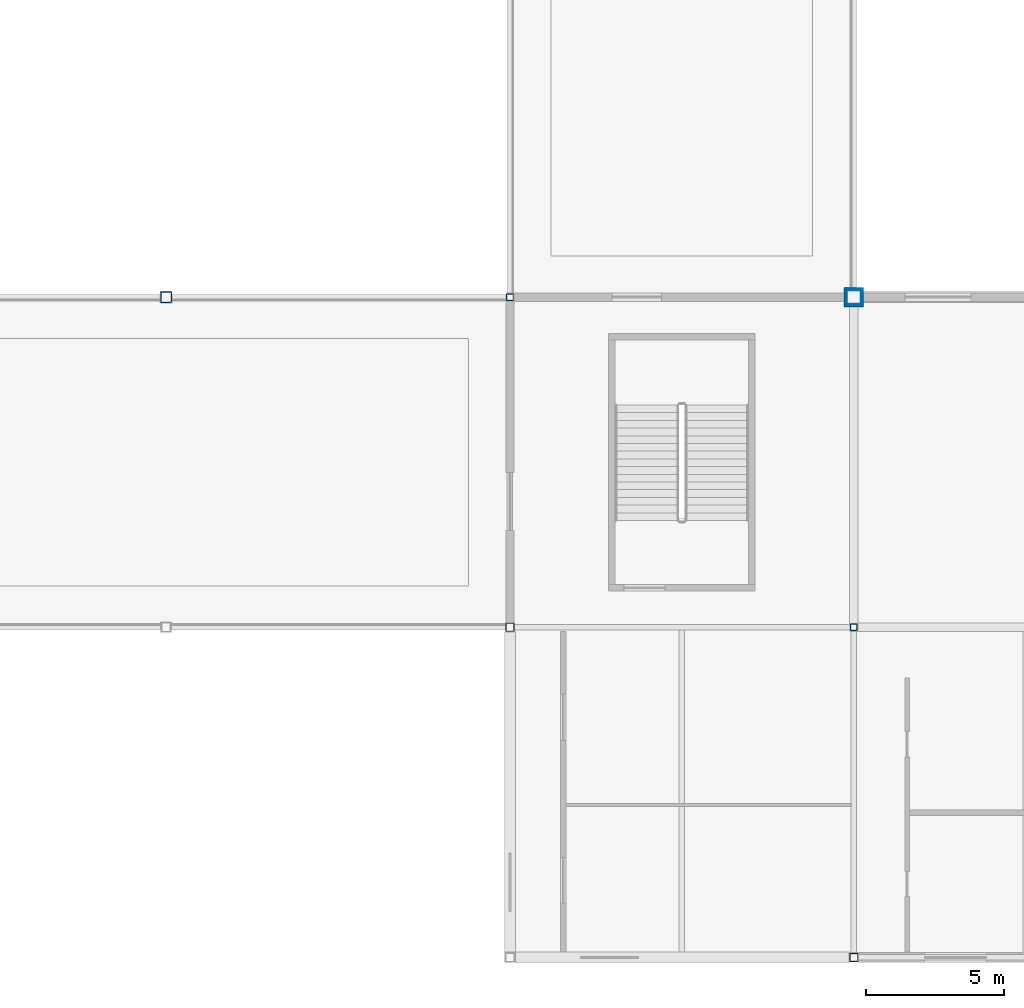
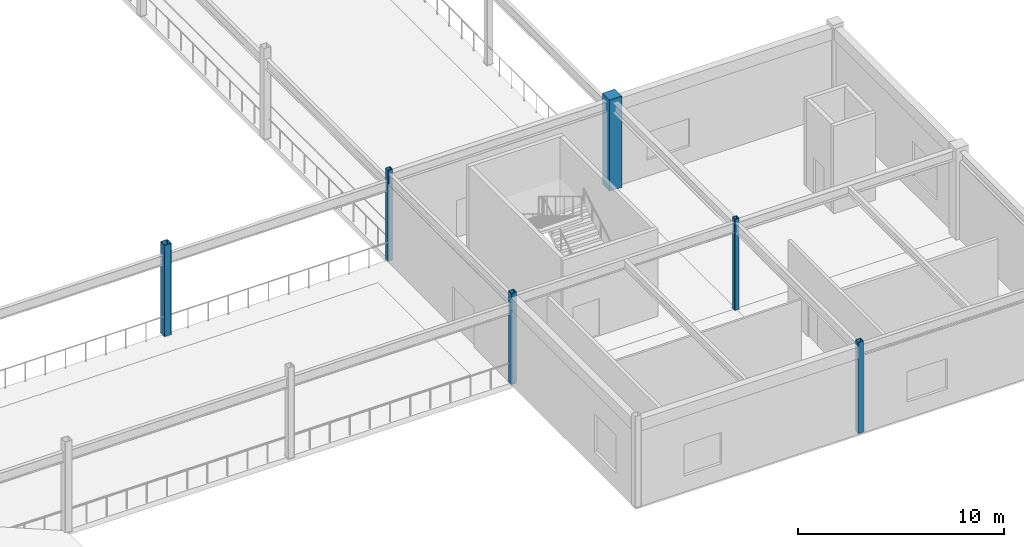
# One storey, part 13 of 105: 6 columns.
"""IFC4 building model written with IfcOpenShell, lengths in metres."""

from ifc_helpers import new_model, si_unit, direction, frame, origin, origin_2d, place, context, subcontext, project, spatial, rectangle, hollow_rectangle, extrude, material, material_profile, profile_set, type_object, element, save


model = new_model("IFC4")

# Units and contexts
model_context = context("Model", 3, precision=1e-05, world=origin(), true_north=direction((0.0, 1.0)))
body_context = subcontext(model_context, "Body", "Model", "MODEL_VIEW")
ifc_project = project(units=[si_unit("LENGTHUNIT", "METRE"), si_unit("AREAUNIT", "SQUARE_METRE"), si_unit("VOLUMEUNIT", "CUBIC_METRE"), si_unit("PLANEANGLEUNIT", "RADIAN"), si_unit("MASSUNIT", "GRAM", prefix="KILO")], contexts=[model_context])

# Site, building, storey
site_placement = place(None, origin())
site = spatial("IfcSite", under=ifc_project, at=site_placement, CompositionType="ELEMENT")
building_placement = place(site_placement, origin())
building = spatial("IfcBuilding", under=site, at=building_placement, Name="Kazenohara Klinker Stadium", CompositionType="ELEMENT")
storey_placement = place(building_placement, frame((0.0, 0.0, 20.39990234375)))
storey = spatial("IfcBuildingStorey", under=building, at=storey_placement, Name="L04", CompositionType="ELEMENT", Elevation=20.39990234375)

# Columns
ifc_material_1 = material(Name="Concrete C40/50", Category="concrete")
ifc_material_profile_1 = material_profile(ifc_material_1, rectangle(XDim=0.699951171875, YDim=0.699951171875, at=origin_2d()), Name="RC-COL-700x700")
ifc_profile_set_1 = profile_set([ifc_material_profile_1], Name="Concrete C40/50")
column_type_1 = type_object("IfcColumnType", Name="COL-RC06", PredefinedType="COLUMN", material=ifc_profile_set_1)
column_1_placement = place(storey_placement, frame((187.5, 36.0, 0.0), z_axis=(0.0, 0.0, 1.0), x_axis=(1.0, 0.0, 0.0)))
element("IfcColumn", 1, at=column_1_placement, inside=storey, type_object=column_type_1, Name="Column C06 L04 16/D", PredefinedType="COLUMN", context=body_context, shape_type="SweptSolid", body=[
    extrude(rectangle(XDim=0.699951171875, YDim=0.699951171875, at=origin_2d()), origin(), (0.0, 0.0, 1.0), 5.400146484375),
])
ifc_material_2 = material(Name="Steel S355", Category="steel")
ifc_material_profile_2 = material_profile(ifc_material_2, hollow_rectangle(XDim=0.39990234375, YDim=0.39990234375, WallThickness=0.01611328125, InnerFilletRadius=0.01611328125, OuterFilletRadius=0.031982421875, at=origin_2d()), Name="SHS-400x400x16")
ifc_profile_set_2 = profile_set([ifc_material_profile_2], Name="Steel S355")
column_type_2 = type_object("IfcColumnType", Name="COL-ST01", PredefinedType="COLUMN", material=ifc_profile_set_2)
column_2_placement = place(storey_placement, frame((162.5, 36.0, 0.0), z_axis=(0.0, 0.0, 1.0), x_axis=(1.0, 0.0, 0.0)))
element("IfcColumn", 2, at=column_2_placement, inside=storey, type_object=column_type_2, Name="Canopy ring support column SC01 L04 14/D", PredefinedType="COLUMN", context=body_context, shape_type="SweptSolid", body=[
    extrude(hollow_rectangle(XDim=0.39990234375, YDim=0.39990234375, WallThickness=0.01611328125, InnerFilletRadius=0.01611328125, OuterFilletRadius=0.031982421875, at=origin_2d()), origin(), (0.0, 0.0, 1.0), 5.400146484375),
])
ifc_material_profile_3 = material_profile(ifc_material_2, hollow_rectangle(XDim=0.300048828125, YDim=0.300048828125, WallThickness=0.011962890625, InnerFilletRadius=0.011962890625, OuterFilletRadius=0.02392578125, at=origin_2d()), Name="SHS-300x300x12")
ifc_profile_set_3 = profile_set([ifc_material_profile_3], Name="Steel S355")
column_type_3 = type_object("IfcColumnType", Name="COL-ST03", PredefinedType="COLUMN", material=ifc_profile_set_3)
for number, where, z_axis, x_axis, name in (
    (3, (175.0, 24.0, 0.0), (0.0, 0.0, 1.0), (1.0, 0.0, 0.0), "Column SC03 L04 15/C"),
    (4, (187.5, 12.0, 0.0), (0.0, 0.0, 1.0), (1.0, 0.0, 0.0), "Column SC03 L04 16/B"),
):
    element("IfcColumn", number, at=place(storey_placement, frame(where, z_axis=z_axis, x_axis=x_axis)), inside=storey, type_object=column_type_3, Name=name, PredefinedType="COLUMN", context=body_context, shape_type="SweptSolid", body=[
        extrude(hollow_rectangle(XDim=0.300048828125, YDim=0.300048828125, WallThickness=0.011962890625, InnerFilletRadius=0.011962890625, OuterFilletRadius=0.02392578125, at=origin_2d()), origin(), (0.0, 0.0, 1.0), 5.400146484375),
    ])
ifc_material_profile_4 = material_profile(ifc_material_2, hollow_rectangle(XDim=0.25, YDim=0.25, WallThickness=0.011962890625, InnerFilletRadius=0.011962890625, OuterFilletRadius=0.02392578125, at=origin_2d()), Name="SHS-250x250x12")
ifc_profile_set_4 = profile_set([ifc_material_profile_4], Name="Steel S355")
column_type_4 = type_object("IfcColumnType", Name="COL-ST04", PredefinedType="COLUMN", material=ifc_profile_set_4)
for number, where, z_axis, x_axis, name in (
    (5, (175.0, 36.0, 0.0), (0.0, 0.0, 1.0), (1.0, 0.0, 0.0), "Column SC04 L04 15/D"),
    (6, (187.5, 24.0, 0.0), (0.0, 0.0, 1.0), (1.0, 0.0, 0.0), "Column SC04 L04 16/C"),
):
    element("IfcColumn", number, at=place(storey_placement, frame(where, z_axis=z_axis, x_axis=x_axis)), inside=storey, type_object=column_type_4, Name=name, PredefinedType="COLUMN", context=body_context, shape_type="SweptSolid", body=[
        extrude(hollow_rectangle(XDim=0.25, YDim=0.25, WallThickness=0.011962890625, InnerFilletRadius=0.011962890625, OuterFilletRadius=0.02392578125, at=origin_2d()), origin(), (0.0, 0.0, 1.0), 5.400146484375),
    ])

save(model, "model.ifc")
